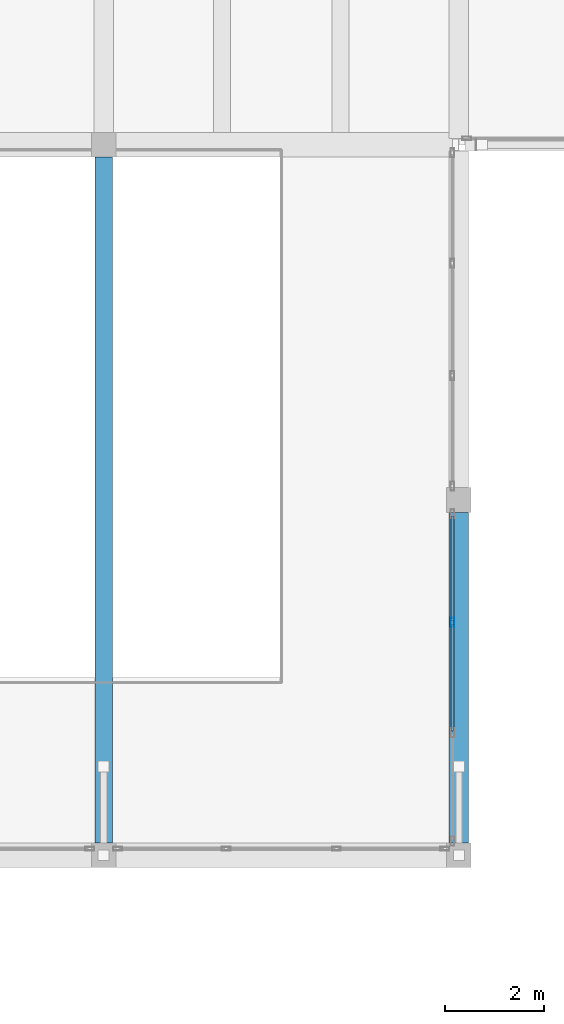
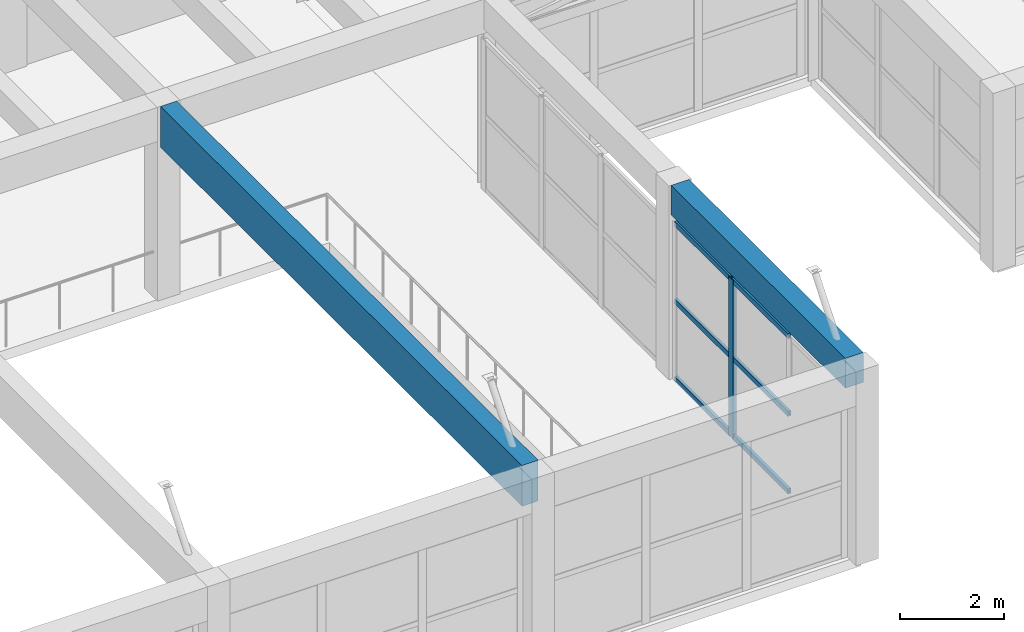
# One storey, part 37 of 153: 7 members, 2 beams, 1 element without a shape of its own.
"""IFC4 building model written with IfcOpenShell, lengths in metres."""

from ifc_helpers import new_model, si_unit, direction, frame, origin, origin_2d, place, context, subcontext, project, spatial, rectangle, hollow_rectangle, extrude, material, material_profile, profile_set, type_object, element, aggregate, save


model = new_model("IFC4")

# Units and contexts
model_context = context("Model", 3, precision=1e-05, world=origin(), true_north=direction((0.0, 1.0)))
body_context = subcontext(model_context, "Body", "Model", "MODEL_VIEW")
ifc_project = project(units=[si_unit("LENGTHUNIT", "METRE"), si_unit("AREAUNIT", "SQUARE_METRE"), si_unit("VOLUMEUNIT", "CUBIC_METRE"), si_unit("PLANEANGLEUNIT", "RADIAN"), si_unit("MASSUNIT", "GRAM", prefix="KILO")], contexts=[model_context])

# Site, building, storey
site_placement = place(None, origin())
site = spatial("IfcSite", under=ifc_project, at=site_placement, CompositionType="ELEMENT")
building_placement = place(site_placement, origin())
building = spatial("IfcBuilding", under=site, at=building_placement, Name="Bramvelor Terrace Health Centre", CompositionType="ELEMENT")
storey_placement = place(building_placement, frame((0.0, 0.0, 4.800048828125)))
storey = spatial("IfcBuildingStorey", under=building, at=storey_placement, Name="L02", CompositionType="ELEMENT", Elevation=4.800048828125)

# Beams
ifc_material_1 = material(Name="Glulam GL28h", Category="wood")
ifc_material_profile_1 = material_profile(ifc_material_1, rectangle(XDim=0.360107421875, YDim=0.9599609375, at=origin_2d()), Name="GL 360x960")
ifc_profile_set_1 = profile_set([ifc_material_profile_1], Name="Glulam GL28h")
beam_type_1 = type_object("IfcBeamType", Name="BM-GL-TG960", PredefinedType="BEAM", material=ifc_profile_set_1)
beam_1_placement = place(storey_placement, frame((86.39990234375, 36.25, 4.070068359375), z_axis=(0.0, 1.0, 0.0), x_axis=(-1.0, 0.0, 0.0)))
element("IfcBeam", 1, at=beam_1_placement, inside=storey, type_object=beam_type_1, Name="L02 Floor Girder", PredefinedType="BEAM", context=body_context, shape_type="SweptSolid", body=[
    extrude(rectangle(XDim=0.360107421875, YDim=0.9599609375, at=origin_2d()), origin(), (0.0, 0.0, 1.0), 13.89990234375),
])
ifc_material_2 = material(Name="Concrete C40/50", Category="concrete")
ifc_material_profile_2 = material_profile(ifc_material_2, rectangle(XDim=0.39990234375, YDim=0.699951171875, at=origin_2d()), Name="RC 400x700")
ifc_profile_set_2 = profile_set([ifc_material_profile_2], Name="Concrete C40/50")
beam_type_2 = type_object("IfcBeamType", Name="BM-RC-G700", PredefinedType="BEAM", material=ifc_profile_set_2)
beam_2_placement = place(storey_placement, frame((93.60009765625, 36.25, 4.199951171875), z_axis=(0.0, 1.0, 0.0), x_axis=(-1.0, 0.0, 0.0)))
element("IfcBeam", 2, at=beam_2_placement, inside=storey, type_object=beam_type_2, Name="L02 Floor Girder", PredefinedType="BEAM", context=body_context, shape_type="SweptSolid", body=[
    extrude(rectangle(XDim=0.39990234375, YDim=0.699951171875, at=origin_2d()), origin(), (0.0, 0.0, 1.0), 6.699951171875),
])

# Curtain wall, members
ifc_material_3 = material(Name="Anodized aluminium and double low-E glass", Category="aluminium")
curtain_wall_type = type_object("IfcCurtainWallType", Name="CW-SYS-17", PredefinedType="NOTDEFINED", material=ifc_material_3)
curtain_wall_placement = place(storey_placement, origin())
curtain_wall = element("IfcCurtainWall", 3, at=curtain_wall_placement, inside=storey, type_object=curtain_wall_type, Name="L02 Unitized Curtain Wall 116", PredefinedType="NOTDEFINED")
ifc_material_4 = material(Name="Anodized aluminium 6063-T6", Category="aluminium")
ifc_material_profile_3 = material_profile(ifc_material_4, hollow_rectangle(XDim=0.074951171875, YDim=0.179931640625, WallThickness=0.00341796875, at=origin_2d()), Name="ALU-MUL 75x180x3.5")
ifc_profile_set_3 = profile_set([ifc_material_profile_3], Name="Anodized aluminium 6063-T6")
member_type_1 = type_object("IfcMemberType", Name="CW-MUL-65x180", PredefinedType="MULLION", material=ifc_profile_set_3)
member_1_placement = place(storey_placement, frame((93.469970703125, 40.71826171875, 0.0), z_axis=(0.0, 0.0, 1.0), x_axis=(1.0, 0.0, 0.0)))
member_1 = element("IfcMember", 4, at=member_1_placement, type_object=member_type_1, Name="CW-17 mullion 2", PredefinedType="MULLION", context=body_context, shape_type="SweptSolid", body=[
    extrude(hollow_rectangle(XDim=0.074951171875, YDim=0.179931640625, WallThickness=0.00341796875, at=origin_2d()), origin(), (0.0, 0.0, 1.0), 3.7099609375),
])
ifc_material_5 = material(Name="Anodized aluminium 6063-T6", Category="aluminium")
ifc_material_profile_4 = material_profile(ifc_material_5, hollow_rectangle(XDim=0.06494140625, YDim=0.1201171875, WallThickness=0.0029296875, at=origin_2d()), Name="ALU-TRN 65x120x3.0")
ifc_profile_set_4 = profile_set([ifc_material_profile_4], Name="Anodized aluminium 6063-T6")
member_type_2 = type_object("IfcMemberType", Name="CW-TRN-65x150", PredefinedType="USERDEFINED", material=ifc_profile_set_4)
member_2_placement = place(storey_placement, frame((93.469970703125, 42.8798828125, 0.032470703125), z_axis=(0.0, -1.0, 0.0), x_axis=(1.0, 0.0, 0.0)))
member_2 = element("IfcMember", 5, at=member_2_placement, type_object=member_type_2, Name="CW-17 transom 1.1", ObjectType="TRANSOM", PredefinedType="USERDEFINED", context=body_context, shape_type="SweptSolid", body=[
    extrude(hollow_rectangle(XDim=0.06494140625, YDim=0.1201171875, WallThickness=0.0029296875, at=origin_2d()), origin(), (0.0, 0.0, 1.0), 2.1240234375),
])
member_3_placement = place(storey_placement, frame((93.469970703125, 42.8798828125, 1.85498046875), z_axis=(0.0, -1.0, 0.0), x_axis=(1.0, 0.0, 0.0)))
member_3 = element("IfcMember", 6, at=member_3_placement, type_object=member_type_2, Name="CW-17 transom 1.2", ObjectType="TRANSOM", PredefinedType="USERDEFINED", context=body_context, shape_type="SweptSolid", body=[
    extrude(hollow_rectangle(XDim=0.06494140625, YDim=0.1201171875, WallThickness=0.0029296875, at=origin_2d()), origin(), (0.0, 0.0, 1.0), 2.1240234375),
])
member_4_placement = place(storey_placement, frame((93.469970703125, 42.8798828125, 3.677490234375), z_axis=(0.0, -1.0, 0.0), x_axis=(1.0, 0.0, 0.0)))
member_4 = element("IfcMember", 7, at=member_4_placement, type_object=member_type_2, Name="CW-17 transom 1.3", ObjectType="TRANSOM", PredefinedType="USERDEFINED", context=body_context, shape_type="SweptSolid", body=[
    extrude(hollow_rectangle(XDim=0.06494140625, YDim=0.1201171875, WallThickness=0.0029296875, at=origin_2d()), origin(), (0.0, 0.0, 1.0), 2.1240234375),
])
member_5_placement = place(storey_placement, frame((93.469970703125, 40.680908203125, 0.032470703125), z_axis=(0.0, -1.0, 0.0), x_axis=(1.0, 0.0, 0.0)))
member_5 = element("IfcMember", 8, at=member_5_placement, type_object=member_type_2, Name="CW-17 transom 2.1", ObjectType="TRANSOM", PredefinedType="USERDEFINED", context=body_context, shape_type="SweptSolid", body=[
    extrude(hollow_rectangle(XDim=0.06494140625, YDim=0.1201171875, WallThickness=0.0029296875, at=origin_2d()), origin(), (0.0, 0.0, 1.0), 2.16162109375),
])
member_6_placement = place(storey_placement, frame((93.469970703125, 40.680908203125, 1.85498046875), z_axis=(0.0, -1.0, 0.0), x_axis=(1.0, 0.0, 0.0)))
member_6 = element("IfcMember", 9, at=member_6_placement, type_object=member_type_2, Name="CW-17 transom 2.2", ObjectType="TRANSOM", PredefinedType="USERDEFINED", context=body_context, shape_type="SweptSolid", body=[
    extrude(hollow_rectangle(XDim=0.06494140625, YDim=0.1201171875, WallThickness=0.0029296875, at=origin_2d()), origin(), (0.0, 0.0, 1.0), 2.16162109375),
])
member_7_placement = place(storey_placement, frame((93.469970703125, 40.680908203125, 3.677490234375), z_axis=(0.0, -1.0, 0.0), x_axis=(1.0, 0.0, 0.0)))
member_7 = element("IfcMember", 10, at=member_7_placement, type_object=member_type_2, Name="CW-17 transom 2.3", ObjectType="TRANSOM", PredefinedType="USERDEFINED", context=body_context, shape_type="SweptSolid", body=[
    extrude(hollow_rectangle(XDim=0.06494140625, YDim=0.1201171875, WallThickness=0.0029296875, at=origin_2d()), origin(), (0.0, 0.0, 1.0), 2.16162109375),
])
aggregate(curtain_wall, [member_1, member_2, member_3, member_4, member_5, member_6, member_7])

save(model, "model.ifc")
